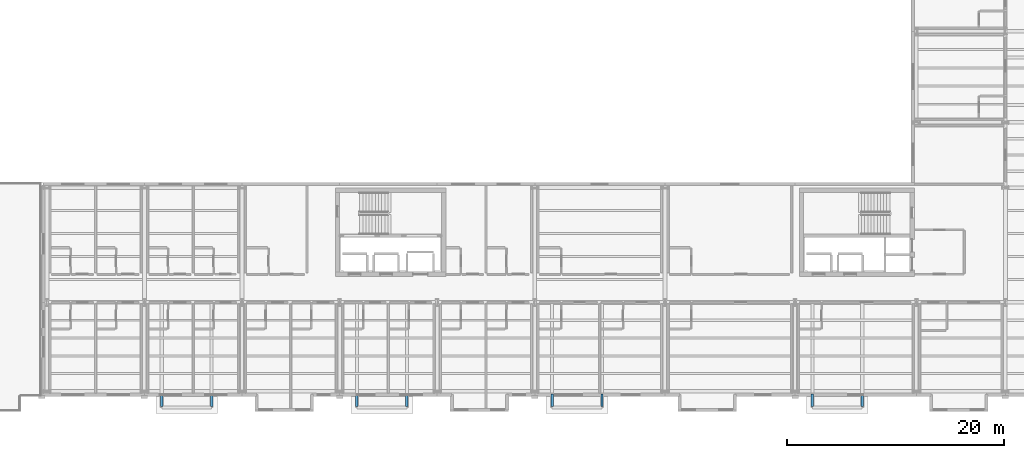
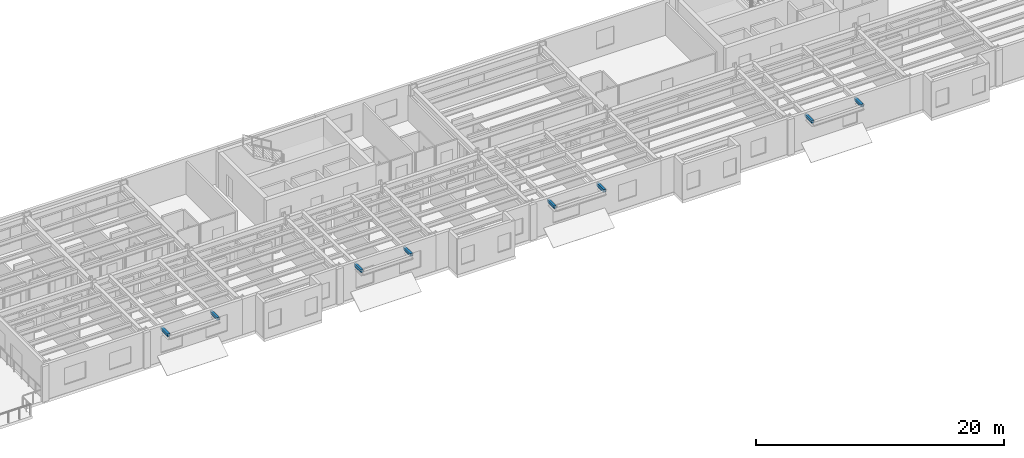
# One storey, part 19 of 23: 8 discrete accessories.
"""IFC4 building model written with IfcOpenShell, lengths in metres."""

from ifc_helpers import new_model, si_unit, direction, frame, origin, origin_2d, place, context, subcontext, project, spatial, rectangle, extrude, material, type_object, element, save


model = new_model("IFC4")

# Units and contexts
model_context = context("Model", 3, precision=1e-05, world=origin(), true_north=direction((0.0, 1.0)))
body_context = subcontext(model_context, "Body", "Model", "MODEL_VIEW")
ifc_project = project(units=[si_unit("LENGTHUNIT", "METRE"), si_unit("AREAUNIT", "SQUARE_METRE"), si_unit("VOLUMEUNIT", "CUBIC_METRE"), si_unit("PLANEANGLEUNIT", "RADIAN"), si_unit("MASSUNIT", "GRAM", prefix="KILO")], contexts=[model_context])

# Site, building, storey
site_placement = place(None, origin())
site = spatial("IfcSite", under=ifc_project, at=site_placement, CompositionType="ELEMENT")
building_placement = place(site_placement, origin())
building = spatial("IfcBuilding", under=site, at=building_placement, Name="Sollismere Congress Hotel", CompositionType="ELEMENT")
storey_placement = place(building_placement, frame((0.0, 0.0, 30.60009765625)))
storey = spatial("IfcBuildingStorey", under=building, at=storey_placement, Name="L07", CompositionType="ELEMENT", Elevation=30.60009765625)

# Discrete accessories
ifc_material = material(Name="Steel ASTM A572 Grade 50", Category="steel")
discrete_accessory_type = type_object("IfcDiscreteAccessoryType", Name="BRK-STL", PredefinedType="BRACKET", material=ifc_material)
for number, where, z_axis, x_axis, name in (
    (1, (77.60009765625, -0.800048828125, 2.97509765625), (0.0, 0.0, 1.0), (1.0, 0.0, 0.0), "BRK-CK-049"),
    (2, (82.199951171875, -0.800048828125, 2.97509765625), (0.0, 0.0, 1.0), (1.0, 0.0, 0.0), "BRK-CK-050"),
    (3, (95.60009765625, -0.800048828125, 2.97509765625), (0.0, 0.0, 1.0), (1.0, 0.0, 0.0), "BRK-CK-051"),
    (4, (100.199951171875, -0.800048828125, 2.97509765625), (0.0, 0.0, 1.0), (1.0, 0.0, 0.0), "BRK-CK-052"),
    (5, (113.60009765625, -0.800048828125, 2.97509765625), (0.0, 0.0, 1.0), (1.0, 0.0, 0.0), "BRK-CK-053"),
    (6, (118.199951171875, -0.800048828125, 2.97509765625), (0.0, 0.0, 1.0), (1.0, 0.0, 0.0), "BRK-CK-054"),
    (7, (137.60009765625, -0.800048828125, 2.97509765625), (0.0, 0.0, 1.0), (1.0, 0.0, 0.0), "BRK-CK-055"),
    (8, (142.199951171875, -0.800048828125, 2.97509765625), (0.0, 0.0, 1.0), (1.0, 0.0, 0.0), "BRK-CK-056"),
):
    element("IfcDiscreteAccessory", number, at=place(storey_placement, frame(where, z_axis=z_axis, x_axis=x_axis)), inside=storey, type_object=discrete_accessory_type, Name=name, PredefinedType="BRACKET", context=body_context, shape_type="SweptSolid", body=[
        extrude(rectangle(XDim=0.219970703125, YDim=1.14990234375, at=origin_2d()), origin(), (0.0, 0.0, 1.0), 0.260009765625),
    ])

save(model, "model.ifc")
